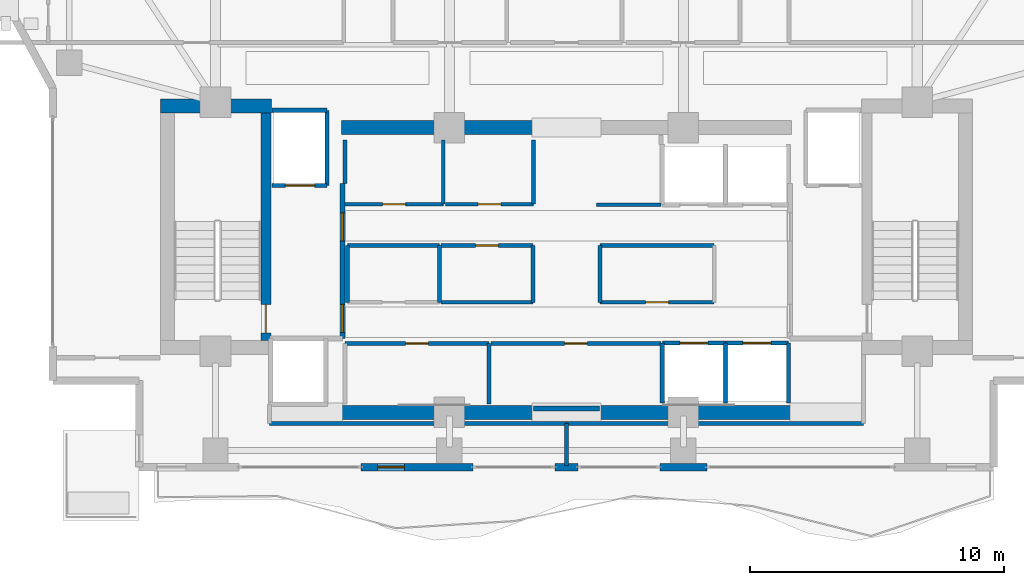
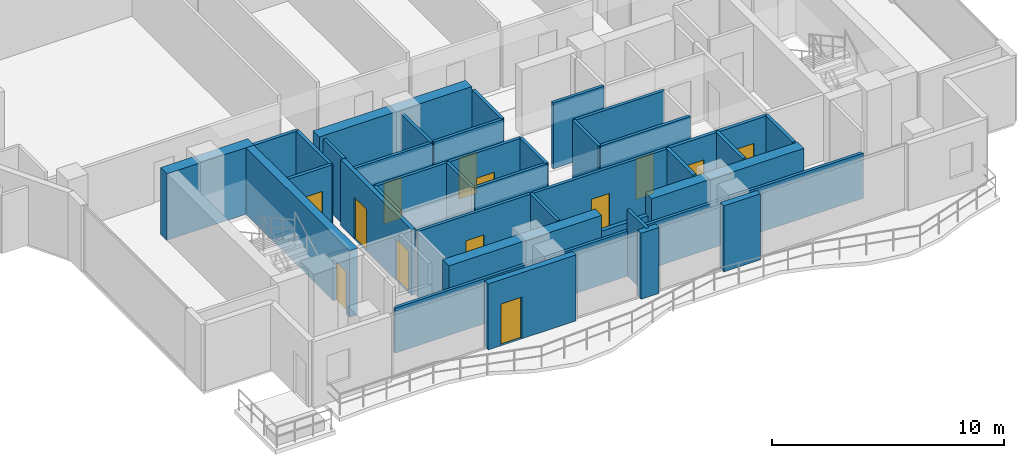
# One storey, part 18 of 24: 39 walls, 13 doors, 13 openings.
"""IFC4 building model written with IfcOpenShell, lengths in metres."""

from ifc_helpers import new_model, si_unit, direction, frame, frame_2d, origin, place, context, subcontext, project, spatial, rectangle, extrude, material, layer, layer_set, type_object, element, fill, save


model = new_model("IFC4")

# Units and contexts
model_context = context("Model", 3, precision=1e-05, world=origin(), true_north=direction((0.0, 1.0)))
body_context = subcontext(model_context, "Body", "Model", "MODEL_VIEW")
ifc_project = project(units=[si_unit("LENGTHUNIT", "METRE"), si_unit("AREAUNIT", "SQUARE_METRE"), si_unit("VOLUMEUNIT", "CUBIC_METRE"), si_unit("PLANEANGLEUNIT", "RADIAN"), si_unit("MASSUNIT", "GRAM", prefix="KILO")], contexts=[model_context])

# Site, building, storey
site_placement = place(None, origin())
site = spatial("IfcSite", under=ifc_project, at=site_placement, CompositionType="ELEMENT")
building_placement = place(site_placement, origin())
building = spatial("IfcBuilding", under=site, at=building_placement, Name="Zuhayl Quay Hotel", CompositionType="ELEMENT")
storey_placement = place(building_placement, frame((0.0, 0.0, 280.35009765625)))
storey = spatial("IfcBuildingStorey", under=building, at=storey_placement, Name="L71", CompositionType="ELEMENT", Elevation=280.35009765625)

# Walls
ifc_material_1 = material(Name="Concrete C50/60", Category="concrete")
ifc_layer_1 = layer(ifc_material_1, 0.550048828125, Name="Concrete C50/60", Category="concrete")
ifc_layer_set_1 = layer_set([ifc_layer_1], Name="Concrete C50/60")
wall_type_1 = type_object("IfcWallType", Name="WL_CORE_550", PredefinedType="SHEAR", material=ifc_layer_set_1)
wall_1_placement = place(storey_placement, frame((-15.9599609375, 14.205078125, 0.0), z_axis=(0.0, 0.0, 1.0), x_axis=(1.0, 0.0, 0.0)))
element("IfcWall", 1, at=wall_1_placement, inside=storey, type_object=wall_type_1, Name="L71 Core Shear Wall CW_NW", PredefinedType="SHEAR", context=body_context, shape_type="SweptSolid", body=[
    extrude(rectangle(XDim=4.35986328125, YDim=0.550048828125, at=frame_2d((2.179931640625, 0.0))), origin(), (0.0, 0.0, 1.0), 3.510009765625),
])
for number, where, z_axis, x_axis, name in (
    (2, (-8.85009765625, 2.14990234375, 0.0), (0.0, 0.0, 1.0), (1.0, 0.0, 0.0), "L71 Core Shear Wall CW_SC_W"),
    (3, (1.25, 2.14990234375, 0.0), (0.0, 0.0, 1.0), (1.0, 0.0, 0.0), "L71 Core Shear Wall CW_SC_E"),
    (4, (-8.85009765625, 13.35009765625, 0.0), (0.0, 0.0, 1.0), (1.0, 0.0, 0.0), "L71 Core Shear Wall CW_NC_W"),
):
    element("IfcWall", number, at=place(storey_placement, frame(where, z_axis=z_axis, x_axis=x_axis)), inside=storey, type_object=wall_type_1, Name=name, PredefinedType="SHEAR", context=body_context, shape_type="SweptSolid", body=[
        extrude(rectangle(XDim=7.60009765625, YDim=0.550048828125, at=frame_2d((3.800048828125, 0.0))), origin(), (0.0, 0.0, 1.0), 3.47998046875),
    ])
ifc_material_2 = material(Name="Precast concrete C45/55", Category="concrete")
ifc_layer_2 = layer(ifc_material_2, 0.300048828125, Name="Precast concrete C45/55", Category="concrete")
ifc_layer_set_2 = layer_set([ifc_layer_2], Name="Precast concrete C45/55")
wall_type_2 = type_object("IfcWallType", Name="WL_EXT_300", PredefinedType="STANDARD", material=ifc_layer_set_2)
wall_2_placement = place(storey_placement, frame((5.52001953125, 0.0, 0.0), z_axis=(0.0, 0.0, 1.0), x_axis=(-1.0, 0.0, 0.0)))
element("IfcWall", 5, at=wall_2_placement, inside=storey, type_object=wall_type_2, Name="L71 Exterior Precast Wall ENV_L71_S_EW2", PredefinedType="STANDARD", context=body_context, shape_type="SweptSolid", body=[
    extrude(rectangle(XDim=1.840087890625, YDim=0.300048828125, at=frame_2d((0.919921875, 0.0))), origin(), (0.0, 0.0, 1.0), 3.47998046875),
])
wall_3_placement = place(storey_placement, frame((0.449951171875, 0.0, 0.0), z_axis=(0.0, 0.0, 1.0), x_axis=(-1.0, 0.0, 0.0)))
element("IfcWall", 6, at=wall_3_placement, inside=storey, type_object=wall_type_2, Name="L71 Exterior Precast Wall ENV_L71_S_EW3", PredefinedType="STANDARD", context=body_context, shape_type="SweptSolid", body=[
    extrude(rectangle(XDim=0.89990234375, YDim=0.300048828125, at=frame_2d((0.449951171875, 0.0))), origin(), (0.0, 0.0, 1.0), 3.47998046875),
])

# Wall, opening, door
wall_4_placement = place(storey_placement, frame((-3.679931640625, 0.0, 0.0), z_axis=(0.0, 0.0, 1.0), x_axis=(-1.0, 0.0, 0.0)))
wall_4 = element("IfcWall", 7, at=wall_4_placement, inside=storey, type_object=wall_type_2, Name="L71 Exterior Precast Wall ENV_L71_S_EW4", PredefinedType="STANDARD", context=body_context, shape_type="SweptSolid", body=[
    extrude(rectangle(XDim=4.39501953125, YDim=0.300048828125, at=frame_2d((2.197509765625, 0.0))), origin(), (0.0, 0.0, 1.0), 3.47998046875),
])
opening_1_placement = place(wall_4_placement, frame((2.695068359375, 0.0, 0.0)))
opening_1 = element("IfcOpeningElement", 8, at=opening_1_placement, cuts=wall_4, Name="Opening DG1", PredefinedType="OPENING", context=body_context, shape_type="SweptSolid", body=[
    extrude(rectangle(XDim=1.050048828125, YDim=2.199951171875, at=frame_2d((0.52490234375, 1.10009765625))), frame((0.0, 0.159912109375, 0.0), z_axis=(0.0, -1.0, 0.0), x_axis=(1.0, 0.0, 0.0)), (0.0, 0.0, 1.0), 0.320068359375),
])
ifc_material_3 = material(Name="Anodised Aluminium and Dark Solar Glass", Category="aluminium")
door_type_1 = type_object("IfcDoorType", Name="DR_EXT_TERR_1050", OperationType="NOTDEFINED", PredefinedType="DOOR", material=ifc_material_3)
door_1_placement = place(opening_1_placement, origin())
door_1 = element("IfcDoor", 9, at=door_1_placement, inside=storey, type_object=door_type_1, Name="L71 South Rippling Balcony Door", OperationType="SINGLE_SWING_RIGHT", OverallHeight=2.199951171875, OverallWidth=1.050048828125, PredefinedType="DOOR", context=body_context, shape_type="SweptSolid", body=[
    extrude(rectangle(XDim=1.050048828125, YDim=2.199951171875, at=frame_2d((0.52490234375, 1.10009765625))), frame((0.0, 0.02490234375, 0.0), z_axis=(0.0, -1.0, 0.0), x_axis=(1.0, 0.0, 0.0)), (0.0, 0.0, 1.0), 0.050048828125),
])
fill(opening_1, door_1)

ifc_material_4 = material(Name="Acoustic Gypsum Partition STC-58")
ifc_layer_3 = layer(ifc_material_4, 0.14990234375, Name="Acoustic Gypsum Partition STC-58")
ifc_layer_set_3 = layer_set([ifc_layer_3], Name="Acoustic Gypsum Partition STC-58")
wall_type_3 = type_object("IfcWallType", Name="WL_PART_150", PredefinedType="PARTITIONING", material=ifc_layer_set_3)
wall_5_placement = place(storey_placement, frame((-8.7099609375, 4.860107421875, 0.0), z_axis=(0.0, 0.0, 1.0), x_axis=(1.0, 0.0, 0.0)))
wall_5 = element("IfcWall", 10, at=wall_5_placement, inside=storey, type_object=wall_type_3, Name="L71 Partition IW_L71_FMP_SW_N", PredefinedType="PARTITIONING", context=body_context, shape_type="SweptSolid", body=[
    extrude(rectangle(XDim=5.669921875, YDim=0.14990234375, at=frame_2d((2.8349609375, 0.0))), origin(), (0.0, 0.0, 1.0), 3.47998046875),
])
opening_2_placement = place(wall_5_placement, frame((2.385009765625, 0.0, 0.0)))
opening_2 = element("IfcOpeningElement", 11, at=opening_2_placement, cuts=wall_5, Name="Opening D06", PredefinedType="OPENING", context=body_context, shape_type="SweptSolid", body=[
    extrude(rectangle(XDim=0.89990234375, YDim=2.14990234375, at=frame_2d((0.449951171875, 1.074951171875))), frame((0.0, 0.0849609375, 0.0), z_axis=(0.0, -1.0, 0.0), x_axis=(1.0, 0.0, 0.0)), (0.0, 0.0, 1.0), 0.169921875),
])
ifc_material_5 = material(Name="Steel ASTM A992 Grade 50", Category="steel")
door_type_2 = type_object("IfcDoorType", Name="DR_INT_900", OperationType="NOTDEFINED", PredefinedType="DOOR", material=ifc_material_5)
door_2_placement = place(opening_2_placement, origin())
door_2 = element("IfcDoor", 12, at=door_2_placement, inside=storey, type_object=door_type_2, Name="L71 Sommelier Cellar Pantry Door", OperationType="SINGLE_SWING_RIGHT", OverallHeight=2.14990234375, OverallWidth=0.89990234375, PredefinedType="DOOR", context=body_context, shape_type="SweptSolid", body=[
    extrude(rectangle(XDim=0.89990234375, YDim=2.14990234375, at=frame_2d((0.449951171875, 1.074951171875))), frame((0.0, 0.02490234375, 0.0), z_axis=(0.0, -1.0, 0.0), x_axis=(1.0, 0.0, 0.0)), (0.0, 0.0, 1.0), 0.050048828125),
])
fill(opening_2, door_2)

wall_6_placement = place(storey_placement, frame((-2.9599609375, 4.860107421875, 0.0), z_axis=(0.0, 0.0, 1.0), x_axis=(1.0, 0.0, 0.0)))
wall_6 = element("IfcWall", 13, at=wall_6_placement, inside=storey, type_object=wall_type_3, Name="L71 Partition IW_L71_FMP_SE_N", PredefinedType="PARTITIONING", context=body_context, shape_type="SweptSolid", body=[
    extrude(rectangle(XDim=6.669921875, YDim=0.14990234375, at=frame_2d((3.3349609375, 0.0))), origin(), (0.0, 0.0, 1.0), 3.47998046875),
])
opening_3_placement = place(wall_6_placement, frame((2.885009765625, 0.0, 0.0)))
opening_3 = element("IfcOpeningElement", 14, at=opening_3_placement, cuts=wall_6, Name="Opening D06", PredefinedType="OPENING", context=body_context, shape_type="SweptSolid", body=[
    extrude(rectangle(XDim=0.89990234375, YDim=2.14990234375, at=frame_2d((0.449951171875, 1.074951171875))), frame((0.0, 0.0849609375, 0.0), z_axis=(0.0, -1.0, 0.0), x_axis=(1.0, 0.0, 0.0)), (0.0, 0.0, 1.0), 0.169921875),
])
door_3_placement = place(opening_3_placement, origin())
door_3 = element("IfcDoor", 15, at=door_3_placement, inside=storey, type_object=door_type_2, Name="L71 East Butler Store Door", OperationType="SINGLE_SWING_LEFT", OverallHeight=2.14990234375, OverallWidth=0.89990234375, PredefinedType="DOOR", context=body_context, shape_type="SweptSolid", body=[
    extrude(rectangle(XDim=0.89990234375, YDim=2.14990234375, at=frame_2d((0.449951171875, 1.074951171875))), frame((0.0, 0.02490234375, 0.0), z_axis=(0.0, -1.0, 0.0), x_axis=(1.0, 0.0, 0.0)), (0.0, 0.0, 1.0), 0.050048828125),
])
fill(opening_3, door_3)

wall_7_placement = place(storey_placement, frame((-8.7099609375, 10.340087890625, 0.0), z_axis=(0.0, 0.0, 1.0), x_axis=(1.0, 0.0, 0.0)))
wall_7 = element("IfcWall", 16, at=wall_7_placement, inside=storey, type_object=wall_type_3, Name="L71 Partition IW_L71_FMP_NW1_S", PredefinedType="PARTITIONING", context=body_context, shape_type="SweptSolid", body=[
    extrude(rectangle(XDim=3.869873046875, YDim=0.14990234375, at=frame_2d((1.93505859375, 0.0))), origin(), (0.0, 0.0, 1.0), 3.47998046875),
])
opening_4_placement = place(wall_7_placement, frame((1.485107421875, 0.0, 0.0)))
opening_4 = element("IfcOpeningElement", 17, at=opening_4_placement, cuts=wall_7, Name="Opening D06", PredefinedType="OPENING", context=body_context, shape_type="SweptSolid", body=[
    extrude(rectangle(XDim=0.89990234375, YDim=2.14990234375, at=frame_2d((0.449951171875, 1.074951171875))), frame((0.0, 0.0849609375, 0.0), z_axis=(0.0, -1.0, 0.0), x_axis=(1.0, 0.0, 0.0)), (0.0, 0.0, 1.0), 0.169921875),
])
door_4_placement = place(opening_4_placement, origin())
door_4 = element("IfcDoor", 18, at=door_4_placement, inside=storey, type_object=door_type_2, Name="L71 High-Zone Valet Store Door", OperationType="SINGLE_SWING_RIGHT", OverallHeight=2.14990234375, OverallWidth=0.89990234375, PredefinedType="DOOR", context=body_context, shape_type="SweptSolid", body=[
    extrude(rectangle(XDim=0.89990234375, YDim=2.14990234375, at=frame_2d((0.449951171875, 1.074951171875))), frame((0.0, 0.02490234375, 0.0), z_axis=(0.0, -1.0, 0.0), x_axis=(1.0, 0.0, 0.0)), (0.0, 0.0, 1.0), 0.050048828125),
])
fill(opening_4, door_4)

wall_8_placement = place(storey_placement, frame((-4.760009765625, 10.340087890625, 0.0), z_axis=(0.0, 0.0, 1.0), x_axis=(1.0, 0.0, 0.0)))
wall_8 = element("IfcWall", 19, at=wall_8_placement, inside=storey, type_object=wall_type_3, Name="L71 Partition IW_L71_FMP_NW2_S", PredefinedType="PARTITIONING", context=body_context, shape_type="SweptSolid", body=[
    extrude(rectangle(XDim=3.469970703125, YDim=0.14990234375, at=frame_2d((1.73486328125, 0.0))), origin(), (0.0, 0.0, 1.0), 3.47998046875),
])
opening_5_placement = place(wall_8_placement, frame((1.284912109375, 0.0, 0.0)))
opening_5 = element("IfcOpeningElement", 20, at=opening_5_placement, cuts=wall_8, Name="Opening D06", PredefinedType="OPENING", context=body_context, shape_type="SweptSolid", body=[
    extrude(rectangle(XDim=0.89990234375, YDim=2.14990234375, at=frame_2d((0.449951171875, 1.074951171875))), frame((0.0, 0.0849609375, 0.0), z_axis=(0.0, -1.0, 0.0), x_axis=(1.0, 0.0, 0.0)), (0.0, 0.0, 1.0), 0.169921875),
])
door_5_placement = place(opening_5_placement, origin())
door_5 = element("IfcDoor", 21, at=door_5_placement, inside=storey, type_object=door_type_2, Name="L71 North Linen Closet Door", OperationType="SINGLE_SWING_LEFT", OverallHeight=2.14990234375, OverallWidth=0.89990234375, PredefinedType="DOOR", context=body_context, shape_type="SweptSolid", body=[
    extrude(rectangle(XDim=0.89990234375, YDim=2.14990234375, at=frame_2d((0.449951171875, 1.074951171875))), frame((0.0, 0.02490234375, 0.0), z_axis=(0.0, -1.0, 0.0), x_axis=(1.0, 0.0, 0.0)), (0.0, 0.0, 1.0), 0.050048828125),
])
fill(opening_5, door_5)

wall_9_placement = place(storey_placement, frame((-4.929931640625, 8.719970703125, 0.0), z_axis=(0.0, 0.0, 1.0), x_axis=(1.0, 0.0, 0.0)))
wall_9 = element("IfcWall", 22, at=wall_9_placement, inside=storey, type_object=wall_type_3, Name="L71 Partition IW_L71_CORE_BM_N", PredefinedType="PARTITIONING", context=body_context, shape_type="SweptSolid", body=[
    extrude(rectangle(XDim=3.60986328125, YDim=0.14990234375, at=frame_2d((1.804931640625, 0.0))), origin(), (0.0, 0.0, 1.0), 3.47998046875),
])
opening_6_placement = place(wall_9_placement, frame((1.35498046875, 0.0, 0.0)))
opening_6 = element("IfcOpeningElement", 23, at=opening_6_placement, cuts=wall_9, Name="Opening D06", PredefinedType="OPENING", context=body_context, shape_type="SweptSolid", body=[
    extrude(rectangle(XDim=0.89990234375, YDim=2.14990234375, at=frame_2d((0.449951171875, 1.074951171875))), frame((0.0, 0.0849609375, 0.0), z_axis=(0.0, -1.0, 0.0), x_axis=(1.0, 0.0, 0.0)), (0.0, 0.0, 1.0), 0.169921875),
])
door_6_placement = place(opening_6_placement, origin())
door_6 = element("IfcDoor", 24, at=door_6_placement, inside=storey, type_object=door_type_2, Name="L71 Telecom and BMS Closet Door", OperationType="SINGLE_SWING_LEFT", OverallHeight=2.14990234375, OverallWidth=0.89990234375, PredefinedType="DOOR", context=body_context, shape_type="SweptSolid", body=[
    extrude(rectangle(XDim=0.89990234375, YDim=2.14990234375, at=frame_2d((0.449951171875, 1.074951171875))), frame((0.0, 0.02490234375, 0.0), z_axis=(0.0, -1.0, 0.0), x_axis=(1.0, 0.0, 0.0)), (0.0, 0.0, 1.0), 0.050048828125),
])
fill(opening_6, door_6)

wall_10_placement = place(storey_placement, frame((1.320068359375, 6.47998046875, 0.0), z_axis=(0.0, 0.0, 1.0), x_axis=(1.0, 0.0, 0.0)))
wall_10 = element("IfcWall", 25, at=wall_10_placement, inside=storey, type_object=wall_type_3, Name="L71 Partition IW_L71_CORE_PN_S", PredefinedType="PARTITIONING", context=body_context, shape_type="SweptSolid", body=[
    extrude(rectangle(XDim=4.489990234375, YDim=0.14990234375, at=frame_2d((2.2451171875, 0.0))), origin(), (0.0, 0.0, 1.0), 3.47998046875),
])
opening_7_placement = place(wall_10_placement, frame((1.794921875, 0.0, 0.0)))
opening_7 = element("IfcOpeningElement", 26, at=opening_7_placement, cuts=wall_10, Name="Opening D06", PredefinedType="OPENING", context=body_context, shape_type="SweptSolid", body=[
    extrude(rectangle(XDim=0.89990234375, YDim=2.14990234375, at=frame_2d((0.449951171875, 1.074951171875))), frame((0.0, 0.0849609375, 0.0), z_axis=(0.0, -1.0, 0.0), x_axis=(1.0, 0.0, 0.0)), (0.0, 0.0, 1.0), 0.169921875),
])
door_7_placement = place(opening_7_placement, origin())
door_7 = element("IfcDoor", 27, at=door_7_placement, inside=storey, type_object=door_type_2, Name="L71 Core Ice and Pantry Room Door", OperationType="SINGLE_SWING_RIGHT", OverallHeight=2.14990234375, OverallWidth=0.89990234375, PredefinedType="DOOR", context=body_context, shape_type="SweptSolid", body=[
    extrude(rectangle(XDim=0.89990234375, YDim=2.14990234375, at=frame_2d((0.449951171875, 1.074951171875))), frame((0.0, 0.02490234375, 0.0), z_axis=(0.0, -1.0, 0.0), x_axis=(1.0, 0.0, 0.0)), (0.0, 0.0, 1.0), 0.050048828125),
])
fill(opening_7, door_7)

# Walls
wall_11_placement = place(storey_placement, frame((-3.0400390625, 2.489990234375, 0.0), z_axis=(0.0, 0.0, 1.0), x_axis=(0.0, 1.0, 0.0)))
element("IfcWall", 28, at=wall_11_placement, inside=storey, type_object=wall_type_3, Name="L71 Partition IW_L71_FMP_SW_E", PredefinedType="PARTITIONING", context=body_context, shape_type="SweptSolid", body=[
    extrude(rectangle(XDim=2.3701171875, YDim=0.14990234375, at=frame_2d((1.18505859375, 0.0))), origin(), (0.0, 0.0, 1.0), 3.47998046875),
])
wall_12_placement = place(storey_placement, frame((-8.7099609375, 11.14990234375, 0.0), z_axis=(0.0, 0.0, 1.0), x_axis=(0.0, 1.0, 0.0)))
element("IfcWall", 29, at=wall_12_placement, inside=storey, type_object=wall_type_3, Name="L71 Partition IW_L71_FMP_NW1_W", PredefinedType="PARTITIONING", context=body_context, shape_type="SweptSolid", body=[
    extrude(rectangle(XDim=1.710205078125, YDim=0.14990234375, at=frame_2d((0.85498046875, 0.0))), origin(), (0.0, 0.0, 1.0), 3.47998046875),
])
for number, where, z_axis, x_axis, name in (
    (30, (-4.840087890625, 10.340087890625, 0.0), (0.0, 0.0, 1.0), (0.0, 1.0, 0.0), "L71 Partition IW_L71_FMP_NW1_E"),
    (31, (-1.2900390625, 10.340087890625, 0.0), (0.0, 0.0, 1.0), (0.0, 1.0, 0.0), "L71 Partition IW_L71_FMP_NW2_E"),
):
    element("IfcWall", number, at=place(storey_placement, frame(where, z_axis=z_axis, x_axis=x_axis)), inside=storey, type_object=wall_type_3, Name=name, PredefinedType="PARTITIONING", context=body_context, shape_type="SweptSolid", body=[
        extrude(rectangle(XDim=2.52001953125, YDim=0.14990234375, at=frame_2d((1.260009765625, 0.0))), origin(), (0.0, 0.0, 1.0), 3.47998046875),
    ])
wall_13_placement = place(storey_placement, frame((-8.610107421875, 8.719970703125, 0.0), z_axis=(0.0, 0.0, 1.0), x_axis=(1.0, 0.0, 0.0)))
element("IfcWall", 32, at=wall_13_placement, inside=storey, type_object=wall_type_3, Name="L71 Partition IW_L71_CORE_SW_N", PredefinedType="PARTITIONING", context=body_context, shape_type="SweptSolid", body=[
    extrude(rectangle(XDim=3.6201171875, YDim=0.14990234375, at=frame_2d((1.81005859375, 0.0))), origin(), (0.0, 0.0, 1.0), 3.47998046875),
])
for number, where, z_axis, x_axis, name in (
    (33, (-8.610107421875, 6.47998046875, 0.0), (0.0, 0.0, 1.0), (0.0, 1.0, 0.0), "L71 Partition IW_L71_CORE_SW_W"),
    (34, (-4.989990234375, 6.47998046875, 0.0), (0.0, 0.0, 1.0), (0.0, 1.0, 0.0), "L71 Partition IW_L71_CORE_SW_E"),
):
    element("IfcWall", number, at=place(storey_placement, frame(where, z_axis=z_axis, x_axis=x_axis)), inside=storey, type_object=wall_type_3, Name=name, PredefinedType="PARTITIONING", context=body_context, shape_type="SweptSolid", body=[
        extrude(rectangle(XDim=2.239990234375, YDim=0.14990234375, at=frame_2d((1.1201171875, 0.0))), origin(), (0.0, 0.0, 1.0), 3.47998046875),
    ])
wall_14_placement = place(storey_placement, frame((-4.929931640625, 6.47998046875, 0.0), z_axis=(0.0, 0.0, 1.0), x_axis=(1.0, 0.0, 0.0)))
element("IfcWall", 35, at=wall_14_placement, inside=storey, type_object=wall_type_3, Name="L71 Partition IW_L71_CORE_BM_S", PredefinedType="PARTITIONING", context=body_context, shape_type="SweptSolid", body=[
    extrude(rectangle(XDim=3.60986328125, YDim=0.14990234375, at=frame_2d((1.804931640625, 0.0))), origin(), (0.0, 0.0, 1.0), 3.47998046875),
])
wall_15_placement = place(storey_placement, frame((-1.320068359375, 6.47998046875, 0.0), z_axis=(0.0, 0.0, 1.0), x_axis=(0.0, 1.0, 0.0)))
element("IfcWall", 36, at=wall_15_placement, inside=storey, type_object=wall_type_3, Name="L71 Partition IW_L71_CORE_BM_E", PredefinedType="PARTITIONING", context=body_context, shape_type="SweptSolid", body=[
    extrude(rectangle(XDim=2.239990234375, YDim=0.14990234375, at=frame_2d((1.1201171875, 0.0))), origin(), (0.0, 0.0, 1.0), 3.47998046875),
])
wall_16_placement = place(storey_placement, frame((1.320068359375, 8.719970703125, 0.0), z_axis=(0.0, 0.0, 1.0), x_axis=(1.0, 0.0, 0.0)))
element("IfcWall", 37, at=wall_16_placement, inside=storey, type_object=wall_type_3, Name="L71 Partition IW_L71_CORE_PN_N", PredefinedType="PARTITIONING", context=body_context, shape_type="SweptSolid", body=[
    extrude(rectangle(XDim=4.489990234375, YDim=0.14990234375, at=frame_2d((2.2451171875, 0.0))), origin(), (0.0, 0.0, 1.0), 3.47998046875),
])
wall_17_placement = place(storey_placement, frame((1.320068359375, 6.47998046875, 0.0), z_axis=(0.0, 0.0, 1.0), x_axis=(0.0, 1.0, 0.0)))
element("IfcWall", 38, at=wall_17_placement, inside=storey, type_object=wall_type_3, Name="L71 Partition IW_L71_CORE_PN_W", PredefinedType="PARTITIONING", context=body_context, shape_type="SweptSolid", body=[
    extrude(rectangle(XDim=2.239990234375, YDim=0.14990234375, at=frame_2d((1.1201171875, 0.0))), origin(), (0.0, 0.0, 1.0), 3.47998046875),
])
wall_18_placement = place(storey_placement, frame((1.179931640625, 10.320068359375, 0.0), z_axis=(0.0, 0.0, 1.0), x_axis=(1.0, 0.0, 0.0)))
element("IfcWall", 39, at=wall_18_placement, inside=storey, type_object=wall_type_3, Name="L71 Partition IW_L71_VEST_MP4_S", PredefinedType="PARTITIONING", context=body_context, shape_type="SweptSolid", body=[
    extrude(rectangle(XDim=2.5400390625, YDim=0.14990234375, at=frame_2d((1.27001953125, 0.0))), origin(), (0.0, 0.0, 1.0), 3.47998046875),
])
for number, where, z_axis, x_axis, name in (
    (40, (-11.679931640625, 1.719970703125, 0.0), (0.0, 0.0, 1.0), (1.0, 0.0, 0.0), "L71 Partition IW_L71_Z4_SUN_SW_SN"),
    (41, (0.0, 1.719970703125, 0.0), (0.0, 0.0, 1.0), (1.0, 0.0, 0.0), "L71 Partition IW_L71_Z4_SUN_SE_SN"),
):
    element("IfcWall", number, at=place(storey_placement, frame(where, z_axis=z_axis, x_axis=x_axis)), inside=storey, type_object=wall_type_3, Name=name, PredefinedType="PARTITIONING", context=body_context, shape_type="SweptSolid", body=[
        extrude(rectangle(XDim=11.679931640625, YDim=0.14990234375, at=frame_2d((5.83984375, 0.0))), origin(), (0.0, 0.0, 1.0), 2.3798828125),
    ])
wall_19_placement = place(storey_placement, frame((0.0, 0.06005859375, 0.0), z_axis=(0.0, 0.0, 1.0), x_axis=(0.0, 1.0, 0.0)))
element("IfcWall", 42, at=wall_19_placement, inside=storey, type_object=wall_type_3, Name="L71 Partition IW_L71_Z4_SUN_MID", PredefinedType="PARTITIONING", context=body_context, shape_type="SweptSolid", body=[
    extrude(rectangle(XDim=1.659912109375, YDim=0.14990234375, at=frame_2d((0.830078125, 0.0))), origin(), (0.0, 0.0, 1.0), 3.47998046875),
])

# Wall, opening, door
ifc_material_6 = material(Name="Gypsum Fireboard Assembly EI-90")
ifc_layer_4 = layer(ifc_material_6, 0.1650390625, Name="Gypsum Fireboard Assembly EI-90")
ifc_layer_set_4 = layer_set([ifc_layer_4], Name="Gypsum Fireboard Assembly EI-90")
wall_type_4 = type_object("IfcWallType", Name="WL_PART_SHAFT_160", PredefinedType="PARTITIONING", material=ifc_layer_set_4)
wall_20_placement = place(storey_placement, frame((-11.580078125, 11.070068359375, 0.0), z_axis=(0.0, 0.0, 1.0), x_axis=(1.0, 0.0, 0.0)))
wall_20 = element("IfcWall", 43, at=wall_20_placement, inside=storey, type_object=wall_type_4, Name="L71 Partition IW_L71_SH_FL1_F", PredefinedType="PARTITIONING", context=body_context, shape_type="SweptSolid", body=[
    extrude(rectangle(XDim=2.16015625, YDim=0.1650390625, at=frame_2d((1.080078125, 0.0))), origin(), (0.0, 0.0, 1.0), 3.47998046875),
])
opening_8_placement = place(wall_20_placement, frame((0.530029296875, 0.0, 0.0)))
opening_8 = element("IfcOpeningElement", 44, at=opening_8_placement, cuts=wall_20, Name="Opening LD2", PredefinedType="OPENING", context=body_context, shape_type="SweptSolid", body=[
    extrude(rectangle(XDim=1.14990234375, YDim=2.25, at=frame_2d((0.574951171875, 1.125))), frame((0.0, 0.092529296875, 0.0), z_axis=(0.0, -1.0, 0.0), x_axis=(1.0, 0.0, 0.0)), (0.0, 0.0, 1.0), 0.18505859375),
])
ifc_material_7 = material(Name="Brushed Stainless Steel", Category="steel")
door_type_3 = type_object("IfcDoorType", Name="DR_LIFT_FF_1100", OperationType="SLIDING_TO_LEFT", PredefinedType="DOOR", material=ifc_material_7)
door_8_placement = place(opening_8_placement, origin())
door_8 = element("IfcDoor", 45, at=door_8_placement, inside=storey, type_object=door_type_3, Name="L71 Lift FL1 Sliding Landing Door", OperationType="SLIDING_TO_LEFT", OverallHeight=2.25, OverallWidth=1.14990234375, PredefinedType="DOOR", context=body_context, shape_type="SweptSolid", body=[
    extrude(rectangle(XDim=1.14990234375, YDim=2.25, at=frame_2d((0.574951171875, 1.125))), frame((0.0, 0.02490234375, 0.0), z_axis=(0.0, -1.0, 0.0), x_axis=(1.0, 0.0, 0.0)), (0.0, 0.0, 1.0), 0.050048828125),
])
fill(opening_8, door_8)

wall_21_placement = place(storey_placement, frame((3.77001953125, 4.8798828125, 0.0), z_axis=(0.0, 0.0, 1.0), x_axis=(1.0, 0.0, 0.0)))
wall_21 = element("IfcWall", 46, at=wall_21_placement, inside=storey, type_object=wall_type_4, Name="L71 Partition IW_L71_SH_HP1_F", PredefinedType="PARTITIONING", context=body_context, shape_type="SweptSolid", body=[
    extrude(rectangle(XDim=2.47998046875, YDim=0.1650390625, at=frame_2d((1.239990234375, 0.0))), origin(), (0.0, 0.0, 1.0), 3.47998046875),
])
opening_9_placement = place(wall_21_placement, frame((0.68994140625, 0.0, 0.0)))
opening_9 = element("IfcOpeningElement", 47, at=opening_9_placement, cuts=wall_21, Name="Opening LD1", PredefinedType="OPENING", context=body_context, shape_type="SweptSolid", body=[
    extrude(rectangle(XDim=1.10009765625, YDim=2.25, at=frame_2d((0.550048828125, 1.125))), frame((0.0, 0.092529296875, 0.0), z_axis=(0.0, -1.0, 0.0), x_axis=(1.0, 0.0, 0.0)), (0.0, 0.0, 1.0), 0.18505859375),
])
door_type_4 = type_object("IfcDoorType", Name="DR_LIFT_PASS_1100", OperationType="SLIDING_TO_LEFT", PredefinedType="DOOR", material=ifc_material_7)
door_9_placement = place(opening_9_placement, origin())
door_9 = element("IfcDoor", 48, at=door_9_placement, inside=storey, type_object=door_type_4, Name="L71 Lift HP1 Sliding Landing Door", OperationType="SLIDING_TO_LEFT", OverallHeight=2.25, OverallWidth=1.10009765625, PredefinedType="DOOR", context=body_context, shape_type="SweptSolid", body=[
    extrude(rectangle(XDim=1.10009765625, YDim=2.25, at=frame_2d((0.550048828125, 1.125))), frame((0.0, 0.02490234375, 0.0), z_axis=(0.0, -1.0, 0.0), x_axis=(1.0, 0.0, 0.0)), (0.0, 0.0, 1.0), 0.050048828125),
])
fill(opening_9, door_9)

wall_22_placement = place(storey_placement, frame((6.25, 4.8798828125, 0.0), z_axis=(0.0, 0.0, 1.0), x_axis=(1.0, 0.0, 0.0)))
wall_22 = element("IfcWall", 49, at=wall_22_placement, inside=storey, type_object=wall_type_4, Name="L71 Partition IW_L71_SH_HP2_F", PredefinedType="PARTITIONING", context=body_context, shape_type="SweptSolid", body=[
    extrude(rectangle(XDim=2.47998046875, YDim=0.1650390625, at=frame_2d((1.239990234375, 0.0))), origin(), (0.0, 0.0, 1.0), 3.47998046875),
])
opening_10_placement = place(wall_22_placement, frame((0.68994140625, 0.0, 0.0)))
opening_10 = element("IfcOpeningElement", 50, at=opening_10_placement, cuts=wall_22, Name="Opening LD1", PredefinedType="OPENING", context=body_context, shape_type="SweptSolid", body=[
    extrude(rectangle(XDim=1.10009765625, YDim=2.25, at=frame_2d((0.550048828125, 1.125))), frame((0.0, 0.092529296875, 0.0), z_axis=(0.0, -1.0, 0.0), x_axis=(1.0, 0.0, 0.0)), (0.0, 0.0, 1.0), 0.18505859375),
])
door_10_placement = place(opening_10_placement, origin())
door_10 = element("IfcDoor", 51, at=door_10_placement, inside=storey, type_object=door_type_4, Name="L71 Lift HP2 Sliding Landing Door", OperationType="SLIDING_TO_LEFT", OverallHeight=2.25, OverallWidth=1.10009765625, PredefinedType="DOOR", context=body_context, shape_type="SweptSolid", body=[
    extrude(rectangle(XDim=1.10009765625, YDim=2.25, at=frame_2d((0.550048828125, 1.125))), frame((0.0, 0.02490234375, 0.0), z_axis=(0.0, -1.0, 0.0), x_axis=(1.0, 0.0, 0.0)), (0.0, 0.0, 1.0), 0.050048828125),
])
fill(opening_10, door_10)

# Walls
wall_23_placement = place(storey_placement, frame((-9.419921875, 11.070068359375, 0.0), z_axis=(0.0, 0.0, 1.0), x_axis=(0.0, 1.0, 0.0)))
element("IfcWall", 52, at=wall_23_placement, inside=storey, type_object=wall_type_4, Name="L71 Partition IW_L71_SH_FL1_E", PredefinedType="PARTITIONING", context=body_context, shape_type="SweptSolid", body=[
    extrude(rectangle(XDim=2.9599609375, YDim=0.1650390625, at=frame_2d((1.47998046875, 0.0))), origin(), (0.0, 0.0, 1.0), 3.47998046875),
])
wall_24_placement = place(storey_placement, frame((-11.580078125, 14.030029296875, 0.0), z_axis=(0.0, 0.0, 1.0), x_axis=(1.0, 0.0, 0.0)))
element("IfcWall", 53, at=wall_24_placement, inside=storey, type_object=wall_type_4, Name="L71 Partition IW_L71_SH_FL1_B", PredefinedType="PARTITIONING", context=body_context, shape_type="SweptSolid", body=[
    extrude(rectangle(XDim=2.16015625, YDim=0.1650390625, at=frame_2d((1.080078125, 0.0))), origin(), (0.0, 0.0, 1.0), 3.47998046875),
])
for number, where, z_axis, x_axis, name in (
    (54, (3.77001953125, 2.52001953125, 0.0), (0.0, 0.0, 1.0), (0.0, 1.0, 0.0), "L71 Partition IW_L71_SH_HP1_W"),
    (55, (6.25, 2.52001953125, 0.0), (0.0, 0.0, 1.0), (0.0, 1.0, 0.0), "L71 Partition IW_L71_SH_HP1_E"),
    (56, (8.72998046875, 2.52001953125, 0.0), (0.0, 0.0, 1.0), (0.0, 1.0, 0.0), "L71 Partition IW_L71_SH_HP2_E"),
):
    element("IfcWall", number, at=place(storey_placement, frame(where, z_axis=z_axis, x_axis=x_axis)), inside=storey, type_object=wall_type_4, Name=name, PredefinedType="PARTITIONING", context=body_context, shape_type="SweptSolid", body=[
        extrude(rectangle(XDim=2.35986328125, YDim=0.1650390625, at=frame_2d((1.179931640625, 0.0))), origin(), (0.0, 0.0, 1.0), 3.47998046875),
    ])

# Wall, openings, doors
ifc_material_8 = material(Name="Gypsum Fireboard Assembly EI-120")
ifc_layer_5 = layer(ifc_material_8, 0.199951171875, Name="Gypsum Fireboard Assembly EI-120")
ifc_layer_set_5 = layer_set([ifc_layer_5], Name="Gypsum Fireboard Assembly EI-120")
wall_type_5 = type_object("IfcWallType", Name="WL_PART_SHAFT_200", PredefinedType="PARTITIONING", material=ifc_layer_set_5)
wall_25_placement = place(storey_placement, frame((-8.800048828125, 5.050048828125, 0.0), z_axis=(0.0, 0.0, 1.0), x_axis=(0.0, 1.0, 0.0)))
wall_25 = element("IfcWall", 57, at=wall_25_placement, inside=storey, type_object=wall_type_5, Name="L71 Partition IW_L71_FSAE_W_E", PredefinedType="PARTITIONING", context=body_context, shape_type="SweptSolid", body=[
    extrude(rectangle(XDim=6.099853515625, YDim=0.199951171875, at=frame_2d((3.0498046875, 0.0))), origin(), (0.0, 0.0, 1.0), 3.47998046875),
])
opening_11_placement = place(wall_25_placement, frame((0.25, 0.0, 0.0)))
opening_11 = element("IfcOpeningElement", 58, at=opening_11_placement, cuts=wall_25, Name="Opening D02", PredefinedType="OPENING", context=body_context, shape_type="SweptSolid", body=[
    extrude(rectangle(XDim=1.10009765625, YDim=2.199951171875, at=frame_2d((0.550048828125, 1.10009765625))), frame((0.0, 0.10986328125, 0.0), z_axis=(0.0, -1.0, 0.0), x_axis=(1.0, 0.0, 0.0)), (0.0, 0.0, 1.0), 0.219970703125),
])
opening_12_placement = place(wall_25_placement, frame((3.85009765625, 0.0, 0.0)))
opening_12 = element("IfcOpeningElement", 59, at=opening_12_placement, cuts=wall_25, Name="Opening D02", PredefinedType="OPENING", context=body_context, shape_type="SweptSolid", body=[
    extrude(rectangle(XDim=1.10009765625, YDim=2.199951171875, at=frame_2d((0.550048828125, 1.10009765625))), frame((0.0, 0.10986328125, 0.0), z_axis=(0.0, -1.0, 0.0), x_axis=(1.0, 0.0, 0.0)), (0.0, 0.0, 1.0), 0.219970703125),
])
door_type_5 = type_object("IfcDoorType", Name="DR_FIRE_90_1100", OperationType="NOTDEFINED", PredefinedType="DOOR", material=ifc_material_5)
door_11_placement = place(opening_11_placement, origin())
door_11 = element("IfcDoor", 60, at=door_11_placement, inside=storey, type_object=door_type_5, Name="L71 FSAE Lobby West South Entry Door", OperationType="SINGLE_SWING_RIGHT", OverallHeight=2.199951171875, OverallWidth=1.10009765625, PredefinedType="DOOR", context=body_context, shape_type="SweptSolid", body=[
    extrude(rectangle(XDim=1.10009765625, YDim=2.199951171875, at=frame_2d((0.550048828125, 1.10009765625))), frame((0.0, 0.02490234375, 0.0), z_axis=(0.0, -1.0, 0.0), x_axis=(1.0, 0.0, 0.0)), (0.0, 0.0, 1.0), 0.050048828125),
])
fill(opening_11, door_11)
door_12_placement = place(opening_12_placement, origin())
door_12 = element("IfcDoor", 61, at=door_12_placement, inside=storey, type_object=door_type_5, Name="L71 FSAE Lobby West North Entry Door", OperationType="SINGLE_SWING_LEFT", OverallHeight=2.199951171875, OverallWidth=1.10009765625, PredefinedType="DOOR", context=body_context, shape_type="SweptSolid", body=[
    extrude(rectangle(XDim=1.10009765625, YDim=2.199951171875, at=frame_2d((0.550048828125, 1.10009765625))), frame((0.0, 0.02490234375, 0.0), z_axis=(0.0, -1.0, 0.0), x_axis=(1.0, 0.0, 0.0)), (0.0, 0.0, 1.0), 0.050048828125),
])
fill(opening_12, door_12)

# Wall
wall_26_placement = place(storey_placement, frame((-1.300048828125, 2.300048828125, 0.0), z_axis=(0.0, 0.0, 1.0), x_axis=(1.0, 0.0, 0.0)))
element("IfcWall", 62, at=wall_26_placement, inside=storey, type_object=wall_type_5, Name="L71 Partition IW_L71_CORE_SCM", PredefinedType="PARTITIONING", context=body_context, shape_type="SweptSolid", body=[
    extrude(rectangle(XDim=2.60009765625, YDim=0.199951171875, at=frame_2d((1.300048828125, 0.0))), origin(), (0.0, 0.0, 1.0), 2.3798828125),
])

# Wall, opening, door
ifc_material_9 = material(Name="Concrete C60/75", Category="concrete")
ifc_layer_6 = layer(ifc_material_9, 0.39990234375, Name="Concrete C60/75", Category="concrete")
ifc_layer_set_6 = layer_set([ifc_layer_6], Name="Concrete C60/75")
wall_type_6 = type_object("IfcWallType", Name="WL_STAIR_400", PredefinedType="SHEAR", material=ifc_layer_set_6)
wall_27_placement = place(storey_placement, frame((-11.820068359375, 4.969970703125, 0.0), z_axis=(0.0, 0.0, 1.0), x_axis=(0.0, 1.0, 0.0)))
wall_27 = element("IfcWall", 63, at=wall_27_placement, inside=storey, type_object=wall_type_6, Name="L71 Core Shear Wall SW_ST1", PredefinedType="SHEAR", context=body_context, shape_type="SweptSolid", body=[
    extrude(rectangle(XDim=8.9599609375, YDim=0.39990234375, at=frame_2d((4.47998046875, 0.0))), origin(), (0.0, 0.0, 1.0), 3.510009765625),
])
opening_13_placement = place(wall_27_placement, frame((0.31005859375, 0.0, 0.0)))
opening_13 = element("IfcOpeningElement", 64, at=opening_13_placement, cuts=wall_27, Name="Opening D01", PredefinedType="OPENING", context=body_context, shape_type="SweptSolid", body=[
    extrude(rectangle(XDim=1.1201171875, YDim=2.219970703125, at=frame_2d((0.56005859375, 1.10986328125))), frame((0.0, 0.2099609375, 0.0), z_axis=(0.0, -1.0, 0.0), x_axis=(1.0, 0.0, 0.0)), (0.0, 0.0, 1.0), 0.419921875),
])
door_type_6 = type_object("IfcDoorType", Name="DR_STAIR_90_1100", OperationType="NOTDEFINED", PredefinedType="DOOR", material=ifc_material_5)
door_13_placement = place(opening_13_placement, origin())
door_13 = element("IfcDoor", 65, at=door_13_placement, inside=storey, type_object=door_type_6, Name="L71 Smokeproof Exit Stair ST1 Door", OperationType="SINGLE_SWING_LEFT", OverallHeight=2.219970703125, OverallWidth=1.1201171875, PredefinedType="DOOR", context=body_context, shape_type="SweptSolid", body=[
    extrude(rectangle(XDim=1.1201171875, YDim=2.219970703125, at=frame_2d((0.56005859375, 1.10986328125))), frame((0.0, 0.02490234375, 0.0), z_axis=(0.0, -1.0, 0.0), x_axis=(1.0, 0.0, 0.0)), (0.0, 0.0, 1.0), 0.050048828125),
])
fill(opening_13, door_13)

save(model, "model.ifc")
